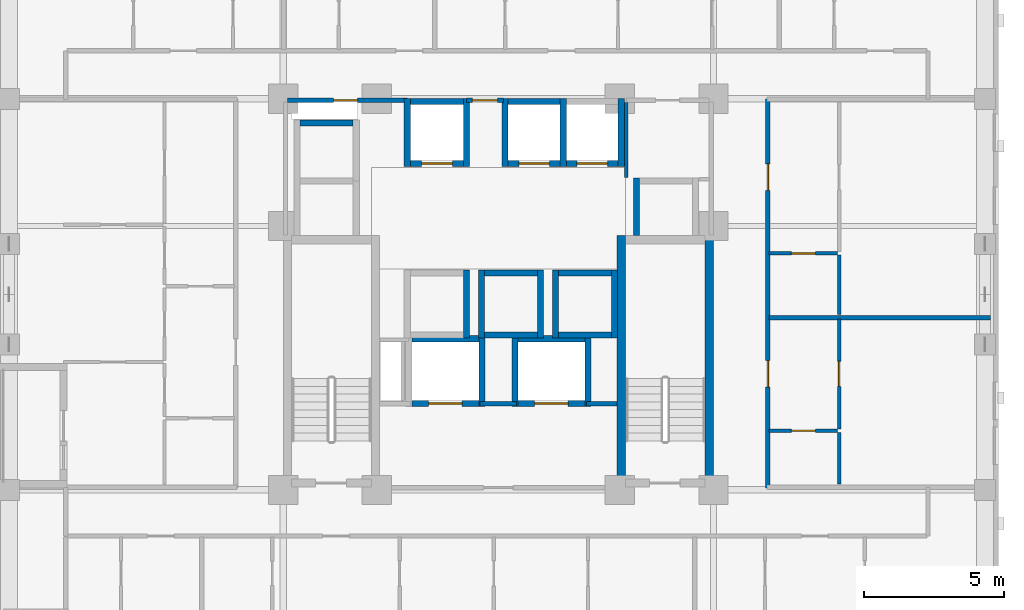
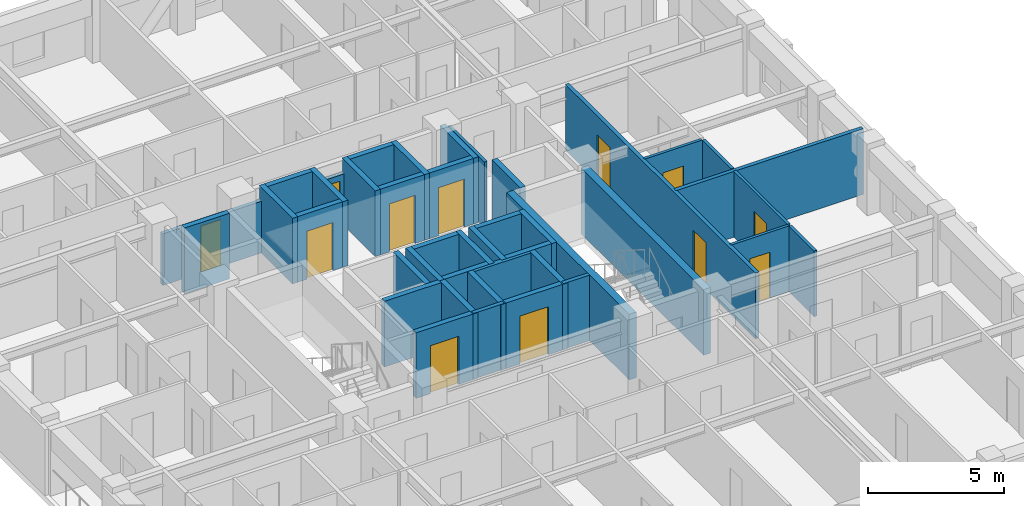
# One storey, part 5 of 12: 42 walls, 12 doors, 12 openings.
"""IFC4 building model written with IfcOpenShell, lengths in metres."""

from ifc_helpers import new_model, si_unit, derived_unit, direction, frame, frame_2d, origin, place, context, subcontext, project, spatial, rectangle, extrude, material, layer, layer_set, type_object, element, fill, save


model = new_model("IFC4")

# Units and contexts
model_context = context("Model", 3, precision=1e-05, world=origin(), true_north=direction((0.0, 1.0)))
body_context = subcontext(model_context, "Body", "Model", "MODEL_VIEW")
ifc_project = project(units=[si_unit("LENGTHUNIT", "METRE"), si_unit("AREAUNIT", "SQUARE_METRE"), si_unit("VOLUMEUNIT", "CUBIC_METRE"), si_unit("PLANEANGLEUNIT", "RADIAN"), si_unit("MASSUNIT", "GRAM", prefix="KILO"), derived_unit("THERMALTRANSMITTANCEUNIT", [(si_unit("MASSUNIT", "GRAM", prefix="KILO"), 1), (si_unit("TIMEUNIT", "SECOND"), -3), (si_unit("THERMODYNAMICTEMPERATUREUNIT", "KELVIN"), -1)])], contexts=[model_context])

# Site, building, storey
site_placement = place(None, origin())
site = spatial("IfcSite", under=ifc_project, at=site_placement, CompositionType="ELEMENT")
building_placement = place(site_placement, origin())
building = spatial("IfcBuilding", under=site, at=building_placement, Name="Korrvale Station Residences", CompositionType="ELEMENT")
storey_placement = place(building_placement, frame((0.0, 0.0, 103.89990234375)))
storey = spatial("IfcBuildingStorey", under=building, at=storey_placement, Name="L29", CompositionType="ELEMENT", Elevation=103.89990234375)

# Walls
ifc_material_1 = material(Name="Concrete C60/75", Category="concrete")
ifc_layer_1 = layer(ifc_material_1, 0.300048828125, Name="Concrete C60/75")
ifc_layer_set_1 = layer_set([ifc_layer_1], Name="Concrete C60/75")
wall_type_1 = type_object("IfcWallType", Name="WAL-CORE-300-C60", PredefinedType="SHEAR", material=ifc_layer_set_1)
for number, where, z_axis, x_axis, name in (
    (1, (29.89990234375, 15.10009765625, 0.0), (0.0, 0.0, 1.0), (0.0, 1.0, 0.0), "L29 ST-2 Core Shear Wall West"),
    (2, (33.050048828125, 15.10009765625, 0.0), (0.0, 0.0, 1.0), (0.0, 1.0, 0.0), "L29 ST-2 Core Shear Wall East"),
):
    element("IfcWall", number, at=place(storey_placement, frame(where, z_axis=z_axis, x_axis=x_axis)), inside=storey, type_object=wall_type_1, Name=name, PredefinedType="SHEAR", context=body_context, shape_type="SweptSolid", body=[
        extrude(rectangle(XDim=9.0, YDim=0.300048828125, at=frame_2d((4.5, 0.0))), origin(), (0.0, 0.0, 1.0), 2.940185546875),
    ])
ifc_material_2 = material(Name="Acoustic steel-stud gypsum board partition", Category="steel")
ifc_layer_2 = layer(ifc_material_2, 0.1201171875, Name="Acoustic steel-stud gypsum board partition")
ifc_layer_set_2 = layer_set([ifc_layer_2], Name="Acoustic steel-stud gypsum board partition")
wall_type_2 = type_object("IfcWallType", Name="WAL-PART-125", PredefinedType="PARTITIONING", material=ifc_layer_set_2)
wall_1_placement = place(storey_placement, frame((30.080078125, 26.179931640625, 0.0), z_axis=(0.0, 0.0, 1.0), x_axis=(0.0, 1.0, 0.0)))
element("IfcWall", 3, at=wall_1_placement, inside=storey, type_object=wall_type_2, Name="L29 Core Partition CW-CS-W", PredefinedType="PARTITIONING", context=body_context, shape_type="SweptSolid", body=[
    extrude(rectangle(XDim=2.68017578125, YDim=0.1201171875, at=frame_2d((1.340087890625, 0.0))), origin(), (0.0, 0.0, 1.0), 2.940185546875),
])

# Wall, opening, door
wall_2_placement = place(storey_placement, frame((35.18994140625, 17.1201171875, 0.0), z_axis=(0.0, 0.0, 1.0), x_axis=(1.0, 0.0, 0.0)))
wall_2 = element("IfcWall", 4, at=wall_2_placement, inside=storey, type_object=wall_type_2, Name="L29 Suite Partition U09-H01", PredefinedType="PARTITIONING", context=body_context, shape_type="SweptSolid", body=[
    extrude(rectangle(XDim=2.449951171875, YDim=0.1201171875, at=frame_2d((1.22509765625, 0.0))), origin(), (0.0, 0.0, 1.0), 2.940185546875),
])
opening_1_placement = place(wall_2_placement, frame((0.794921875, 0.0, 0.0)))
opening_1 = element("IfcOpeningElement", 5, at=opening_1_placement, cuts=wall_2, Name="Opening DB-860", PredefinedType="OPENING", context=body_context, shape_type="SweptSolid", body=[
    extrude(rectangle(XDim=0.860107421875, YDim=2.050048828125, at=frame_2d((0.43017578125, 1.02490234375))), frame((0.0, 0.070068359375, 0.0), z_axis=(0.0, -1.0, 0.0), x_axis=(1.0, 0.0, 0.0)), (0.0, 0.0, 1.0), 0.14013671875),
])
ifc_material_3 = material(Name="Moisture-resistant solid-core bathroom door", Category="timber")
door_type_1 = type_object("IfcDoorType", Name="DR-BATH-860", OperationType="NOTDEFINED", PredefinedType="DOOR", material=ifc_material_3)
door_1_placement = place(opening_1_placement, origin())
door_1 = element("IfcDoor", 6, at=door_1_placement, inside=storey, type_object=door_type_1, Name="L29 Apartment 1BR L29-U09 Bathroom Door", OperationType="SINGLE_SWING_LEFT", OverallHeight=2.050048828125, OverallWidth=0.860107421875, PredefinedType="DOOR", context=body_context, shape_type="SweptSolid", body=[
    extrude(rectangle(XDim=0.860107421875, YDim=2.050048828125, at=frame_2d((0.43017578125, 1.02490234375))), frame((0.0, 0.02490234375, 0.0), z_axis=(0.0, -1.0, 0.0), x_axis=(1.0, 0.0, 0.0)), (0.0, 0.0, 1.0), 0.050048828125),
])
fill(opening_1, door_1)

# Wall
wall_3_placement = place(storey_placement, frame((37.699951171875, 15.2099609375, 0.0), z_axis=(0.0, 0.0, 1.0), x_axis=(0.0, 1.0, 0.0)))
element("IfcWall", 7, at=wall_3_placement, inside=storey, type_object=wall_type_2, Name="L29 Suite Partition U09-V02", PredefinedType="PARTITIONING", context=body_context, shape_type="SweptSolid", body=[
    extrude(rectangle(XDim=1.85009765625, YDim=0.1201171875, at=frame_2d((0.925048828125, 0.0))), origin(), (0.0, 0.0, 1.0), 2.940185546875),
])

# Wall, opening, door
wall_4_placement = place(storey_placement, frame((37.699951171875, 17.179931640625, 0.0), z_axis=(0.0, 0.0, 1.0), x_axis=(0.0, 1.0, 0.0)))
wall_4 = element("IfcWall", 8, at=wall_4_placement, inside=storey, type_object=wall_type_2, Name="L29 Suite Partition U09-V12", PredefinedType="PARTITIONING", context=body_context, shape_type="SweptSolid", body=[
    extrude(rectangle(XDim=3.946044921875, YDim=0.1201171875, at=frame_2d((1.97314453125, 0.0))), origin(), (0.0, 0.0, 1.0), 2.940185546875),
])
opening_2_placement = place(wall_4_placement, frame((1.52294921875, 0.0, 0.0)))
opening_2 = element("IfcOpeningElement", 9, at=opening_2_placement, cuts=wall_4, Name="Opening DI-900", PredefinedType="OPENING", context=body_context, shape_type="SweptSolid", body=[
    extrude(rectangle(XDim=0.89990234375, YDim=2.050048828125, at=frame_2d((0.449951171875, 1.02490234375))), frame((0.0, 0.070068359375, 0.0), z_axis=(0.0, -1.0, 0.0), x_axis=(1.0, 0.0, 0.0)), (0.0, 0.0, 1.0), 0.14013671875),
])
ifc_material_4 = material(Name="Painted solid-core timber interior room door", Category="wood")
door_type_2 = type_object("IfcDoorType", Name="DR-INT-900", OperationType="NOTDEFINED", PredefinedType="DOOR", material=ifc_material_4)
door_2_placement = place(opening_2_placement, origin())
door_2 = element("IfcDoor", 10, at=door_2_placement, inside=storey, type_object=door_type_2, Name="L29 Apartment 1BR L29-U09 Kitchen Door", OperationType="SINGLE_SWING_RIGHT", OverallHeight=2.050048828125, OverallWidth=0.89990234375, PredefinedType="DOOR", context=body_context, shape_type="SweptSolid", body=[
    extrude(rectangle(XDim=0.89990234375, YDim=2.050048828125, at=frame_2d((0.449951171875, 1.02490234375))), frame((0.0, 0.02490234375, 0.0), z_axis=(0.0, -1.0, 0.0), x_axis=(1.0, 0.0, 0.0)), (0.0, 0.0, 1.0), 0.050048828125),
])
fill(opening_2, door_2)

wall_5_placement = place(storey_placement, frame((35.18994140625, 23.467041015625, 0.0), z_axis=(0.0, 0.0, 1.0), x_axis=(1.0, 0.0, 0.0)))
wall_5 = element("IfcWall", 11, at=wall_5_placement, inside=storey, type_object=wall_type_2, Name="L29 Suite Partition U10-H01", PredefinedType="PARTITIONING", context=body_context, shape_type="SweptSolid", body=[
    extrude(rectangle(XDim=2.449951171875, YDim=0.1201171875, at=frame_2d((1.22509765625, 0.0))), origin(), (0.0, 0.0, 1.0), 2.940185546875),
])
opening_3_placement = place(wall_5_placement, frame((0.794921875, 0.0, 0.0)))
opening_3 = element("IfcOpeningElement", 12, at=opening_3_placement, cuts=wall_5, Name="Opening DB-860", PredefinedType="OPENING", context=body_context, shape_type="SweptSolid", body=[
    extrude(rectangle(XDim=0.860107421875, YDim=2.050048828125, at=frame_2d((0.43017578125, 1.02490234375))), frame((0.0, 0.070068359375, 0.0), z_axis=(0.0, -1.0, 0.0), x_axis=(1.0, 0.0, 0.0)), (0.0, 0.0, 1.0), 0.14013671875),
])
door_3_placement = place(opening_3_placement, origin())
door_3 = element("IfcDoor", 13, at=door_3_placement, inside=storey, type_object=door_type_1, Name="L29 Apartment 1BR L29-U10 Bathroom Door", OperationType="SINGLE_SWING_LEFT", OverallHeight=2.050048828125, OverallWidth=0.860107421875, PredefinedType="DOOR", context=body_context, shape_type="SweptSolid", body=[
    extrude(rectangle(XDim=0.860107421875, YDim=2.050048828125, at=frame_2d((0.43017578125, 1.02490234375))), frame((0.0, 0.02490234375, 0.0), z_axis=(0.0, -1.0, 0.0), x_axis=(1.0, 0.0, 0.0)), (0.0, 0.0, 1.0), 0.050048828125),
])
fill(opening_3, door_3)

# Walls
wall_6_placement = place(storey_placement, frame((37.699951171875, 21.285888671875, 0.0), z_axis=(0.0, 0.0, 1.0), x_axis=(0.0, 1.0, 0.0)))
element("IfcWall", 14, at=wall_6_placement, inside=storey, type_object=wall_type_2, Name="L29 Suite Partition U10-V02", PredefinedType="PARTITIONING", context=body_context, shape_type="SweptSolid", body=[
    extrude(rectangle(XDim=2.12109375, YDim=0.1201171875, at=frame_2d((1.060546875, 0.0))), origin(), (0.0, 0.0, 1.0), 2.940185546875),
])
ifc_material_5 = material(Name="Fire-rated twin-stud gypsum and mineral wool shaftwall assembly", Category="gypsum")
ifc_layer_3 = layer(ifc_material_5, 0.159912109375, Name="Fire-rated twin-stud gypsum and mineral wool shaftwall assembly")
ifc_layer_set_3 = layer_set([ifc_layer_3], Name="Fire-rated twin-stud gypsum and mineral wool shaftwall assembly")
wall_type_3 = type_object("IfcWallType", Name="WAL-PART-200", PredefinedType="PARTITIONING", material=ifc_layer_set_3)
wall_7_placement = place(storey_placement, frame((24.85009765625, 18.080078125, 0.0), z_axis=(0.0, 0.0, 1.0), x_axis=(1.0, 0.0, 0.0)))
element("IfcWall", 15, at=wall_7_placement, inside=storey, type_object=wall_type_3, Name="L29 Core Partition CW-FFL-N2", PredefinedType="PARTITIONING", context=body_context, shape_type="SweptSolid", body=[
    extrude(rectangle(XDim=1.2998046875, YDim=0.159912109375, at=frame_2d((0.64990234375, 0.0))), origin(), (0.0, 0.0, 1.0), 2.940185546875),
])
wall_8_placement = place(storey_placement, frame((28.64990234375, 18.080078125, 0.0), z_axis=(0.0, 0.0, 1.0), x_axis=(1.0, 0.0, 0.0)))
element("IfcWall", 16, at=wall_8_placement, inside=storey, type_object=wall_type_3, Name="L29 Core Partition CW-FFL-N3", PredefinedType="PARTITIONING", context=body_context, shape_type="SweptSolid", body=[
    extrude(rectangle(XDim=1.10009765625, YDim=0.159912109375, at=frame_2d((0.550048828125, 0.0))), origin(), (0.0, 0.0, 1.0), 2.940185546875),
])

# Wall, opening, door
wall_9_placement = place(storey_placement, frame((24.360107421875, 28.949951171875, 0.0), z_axis=(0.0, 0.0, 1.0), x_axis=(1.0, 0.0, 0.0)))
wall_9 = element("IfcWall", 17, at=wall_9_placement, inside=storey, type_object=wall_type_3, Name="L29 Core Partition CW-LLOB-N", PredefinedType="PARTITIONING", context=body_context, shape_type="SweptSolid", body=[
    extrude(rectangle(XDim=1.31982421875, YDim=0.159912109375, at=frame_2d((0.659912109375, 0.0))), origin(), (0.0, 0.0, 1.0), 2.31298828125),
])
opening_4_placement = place(wall_9_placement, frame((0.2099609375, 0.0, 0.0)))
opening_4 = element("IfcOpeningElement", 18, at=opening_4_placement, cuts=wall_9, Name="Opening DI-900", PredefinedType="OPENING", context=body_context, shape_type="SweptSolid", body=[
    extrude(rectangle(XDim=0.89990234375, YDim=2.050048828125, at=frame_2d((0.449951171875, 1.02490234375))), frame((0.0, 0.08984375, 0.0), z_axis=(0.0, -1.0, 0.0), x_axis=(1.0, 0.0, 0.0)), (0.0, 0.0, 1.0), 0.179931640625),
])
door_4_placement = place(opening_4_placement, origin())
door_4 = element("IfcDoor", 19, at=door_4_placement, inside=storey, type_object=door_type_2, Name="L29 Central Hallway North Passage Door", OperationType="SINGLE_SWING_RIGHT", OverallHeight=2.050048828125, OverallWidth=0.89990234375, PredefinedType="DOOR", context=body_context, shape_type="SweptSolid", body=[
    extrude(rectangle(XDim=0.89990234375, YDim=2.050048828125, at=frame_2d((0.449951171875, 1.02490234375))), frame((0.0, 0.02490234375, 0.0), z_axis=(0.0, -1.0, 0.0), x_axis=(1.0, 0.0, 0.0)), (0.0, 0.0, 1.0), 0.050048828125),
])
fill(opening_4, door_4)

wall_10_placement = place(storey_placement, frame((17.9599609375, 28.949951171875, 0.0), z_axis=(0.0, 0.0, 1.0), x_axis=(1.0, 0.0, 0.0)))
wall_10 = element("IfcWall", 20, at=wall_10_placement, inside=storey, type_object=wall_type_3, Name="L29 Core Partition CW-NW", PredefinedType="PARTITIONING", context=body_context, shape_type="SweptSolid", body=[
    extrude(rectangle(XDim=4.2900390625, YDim=0.159912109375, at=frame_2d((2.14501953125, 0.0))), origin(), (0.0, 0.0, 1.0), 2.31298828125),
])
opening_5_placement = place(wall_10_placement, frame((1.64501953125, 0.0, 0.0)))
opening_5 = element("IfcOpeningElement", 21, at=opening_5_placement, cuts=wall_10, Name="Opening DB-860", PredefinedType="OPENING", context=body_context, shape_type="SweptSolid", body=[
    extrude(rectangle(XDim=0.860107421875, YDim=2.050048828125, at=frame_2d((0.43017578125, 1.02490234375))), frame((0.0, 0.08984375, 0.0), z_axis=(0.0, -1.0, 0.0), x_axis=(1.0, 0.0, 0.0)), (0.0, 0.0, 1.0), 0.179931640625),
])
door_5_placement = place(opening_5_placement, origin())
door_5 = element("IfcDoor", 22, at=door_5_placement, inside=storey, type_object=door_type_1, Name="L29 Electrical Riser Access Door", OperationType="SINGLE_SWING_LEFT", OverallHeight=2.050048828125, OverallWidth=0.860107421875, PredefinedType="DOOR", context=body_context, shape_type="SweptSolid", body=[
    extrude(rectangle(XDim=0.860107421875, YDim=2.050048828125, at=frame_2d((0.43017578125, 1.02490234375))), frame((0.0, 0.02490234375, 0.0), z_axis=(0.0, -1.0, 0.0), x_axis=(1.0, 0.0, 0.0)), (0.0, 0.0, 1.0), 0.050048828125),
])
fill(opening_5, door_5)

# Wall
wall_11_placement = place(storey_placement, frame((35.18994140625, 21.166015625, 0.0), z_axis=(0.0, 0.0, 1.0), x_axis=(1.0, 0.0, 0.0)))
element("IfcWall", 23, at=wall_11_placement, inside=storey, type_object=wall_type_3, Name="L29 Demising Wall U09-N", PredefinedType="PARTITIONING", context=body_context, shape_type="SweptSolid", body=[
    extrude(rectangle(XDim=7.93017578125, YDim=0.159912109375, at=frame_2d((3.965087890625, 0.0))), origin(), (0.0, 0.0, 1.0), 2.940185546875),
])

# Wall, openings, doors
wall_12_placement = place(storey_placement, frame((35.14990234375, 15.070068359375, 0.0), z_axis=(0.0, 0.0, 1.0), x_axis=(0.0, 1.0, 0.0)))
wall_12 = element("IfcWall", 24, at=wall_12_placement, inside=storey, type_object=wall_type_3, Name="L29 Rated Corridor Wall E", PredefinedType="PARTITIONING", context=body_context, shape_type="SweptSolid", body=[
    extrude(rectangle(XDim=13.929931640625, YDim=0.159912109375, at=frame_2d((6.96484375, 0.0))), origin(), (0.0, 0.0, 1.0), 2.940185546875),
])
opening_6_placement = place(wall_12_placement, frame((3.60791015625, 0.0, 0.0)))
opening_6 = element("IfcOpeningElement", 25, at=opening_6_placement, cuts=wall_12, Name="Opening UD-950", PredefinedType="OPENING", context=body_context, shape_type="SweptSolid", body=[
    extrude(rectangle(XDim=0.949951171875, YDim=2.10009765625, at=frame_2d((0.47509765625, 1.050048828125))), frame((0.0, 0.08984375, 0.0), z_axis=(0.0, -1.0, 0.0), x_axis=(1.0, 0.0, 0.0)), (0.0, 0.0, 1.0), 0.179931640625),
])
opening_7_placement = place(wall_12_placement, frame((10.64892578125, 0.0, 0.0)))
opening_7 = element("IfcOpeningElement", 26, at=opening_7_placement, cuts=wall_12, Name="Opening UD-950", PredefinedType="OPENING", context=body_context, shape_type="SweptSolid", body=[
    extrude(rectangle(XDim=0.949951171875, YDim=2.10009765625, at=frame_2d((0.47509765625, 1.050048828125))), frame((0.0, 0.08984375, 0.0), z_axis=(0.0, -1.0, 0.0), x_axis=(1.0, 0.0, 0.0)), (0.0, 0.0, 1.0), 0.179931640625),
])
ifc_material_6 = material(Name="Solid-core acoustic oak apartment entrance door", Category="timber")
door_type_3 = type_object("IfcDoorType", Name="DR-UNIT-950", OperationType="NOTDEFINED", PredefinedType="DOOR", material=ifc_material_6)
door_6_placement = place(opening_6_placement, origin())
door_6 = element("IfcDoor", 27, at=door_6_placement, inside=storey, type_object=door_type_3, Name="L29 Apartment L29-U09 Entrance Door", OperationType="SINGLE_SWING_LEFT", OverallHeight=2.10009765625, OverallWidth=0.949951171875, PredefinedType="DOOR", context=body_context, shape_type="SweptSolid", body=[
    extrude(rectangle(XDim=0.949951171875, YDim=2.10009765625, at=frame_2d((0.47509765625, 1.050048828125))), frame((0.0, 0.02490234375, 0.0), z_axis=(0.0, -1.0, 0.0), x_axis=(1.0, 0.0, 0.0)), (0.0, 0.0, 1.0), 0.050048828125),
])
fill(opening_6, door_6)
door_7_placement = place(opening_7_placement, origin())
door_7 = element("IfcDoor", 28, at=door_7_placement, inside=storey, type_object=door_type_3, Name="L29 Apartment L29-U10 Entrance Door", OperationType="SINGLE_SWING_RIGHT", OverallHeight=2.10009765625, OverallWidth=0.949951171875, PredefinedType="DOOR", context=body_context, shape_type="SweptSolid", body=[
    extrude(rectangle(XDim=0.949951171875, YDim=2.10009765625, at=frame_2d((0.47509765625, 1.050048828125))), frame((0.0, 0.02490234375, 0.0), z_axis=(0.0, -1.0, 0.0), x_axis=(1.0, 0.0, 0.0)), (0.0, 0.0, 1.0), 0.050048828125),
])
fill(opening_7, door_7)

# Wall, opening, door
ifc_layer_4 = layer(ifc_material_1, 0.219970703125, Name="Concrete C60/75")
ifc_layer_set_4 = layer_set([ifc_layer_4], Name="Concrete C60/75")
wall_type_4 = type_object("IfcWallType", Name="WAL-SHAFT-220-C60", PredefinedType="SHEAR", material=ifc_layer_set_4)
wall_13_placement = place(storey_placement, frame((22.35009765625, 26.68994140625, 0.0), z_axis=(0.0, 0.0, 1.0), x_axis=(1.0, 0.0, 0.0)))
wall_13 = element("IfcWall", 29, at=wall_13_placement, inside=storey, type_object=wall_type_4, Name="L29 Elevator PL-1 Hoistway Wall South", PredefinedType="SHEAR", context=body_context, shape_type="SweptSolid", body=[
    extrude(rectangle(XDim=1.89990234375, YDim=0.219970703125, at=frame_2d((0.949951171875, 0.0))), origin(), (0.0, 0.0, 1.0), 2.940185546875),
])
opening_8_placement = place(wall_13_placement, frame((0.39990234375, 0.0, 0.0)))
opening_8 = element("IfcOpeningElement", 30, at=opening_8_placement, cuts=wall_13, Name="Opening LD-1100", PredefinedType="OPENING", context=body_context, shape_type="SweptSolid", body=[
    extrude(rectangle(XDim=1.10009765625, YDim=2.14990234375, at=frame_2d((0.550048828125, 1.074951171875))), frame((0.0, 0.1201171875, 0.0), z_axis=(0.0, -1.0, 0.0), x_axis=(1.0, 0.0, 0.0)), (0.0, 0.0, 1.0), 0.239990234375),
])
ifc_material_7 = material(Name="Brushed stainless-steel elevator landing sliding door", Category="steel")
door_type_4 = type_object("IfcDoorType", Name="DR-LIFT-1100", OperationType="SLIDING_TO_LEFT", PredefinedType="DOOR", material=ifc_material_7)
door_8_placement = place(opening_8_placement, origin())
door_8 = element("IfcDoor", 31, at=door_8_placement, inside=storey, type_object=door_type_4, Name="L29 Elevator PL-1 Sliding Landing Door", OperationType="SLIDING_TO_LEFT", OverallHeight=2.14990234375, OverallWidth=1.10009765625, PredefinedType="DOOR", context=body_context, shape_type="SweptSolid", body=[
    extrude(rectangle(XDim=1.10009765625, YDim=2.14990234375, at=frame_2d((0.550048828125, 1.074951171875))), frame((0.0, 0.02490234375, 0.0), z_axis=(0.0, -1.0, 0.0), x_axis=(1.0, 0.0, 0.0)), (0.0, 0.0, 1.0), 0.050048828125),
])
fill(opening_8, door_8)

# Walls
wall_14_placement = place(storey_placement, frame((22.35009765625, 28.909912109375, 0.0), z_axis=(0.0, 0.0, 1.0), x_axis=(1.0, 0.0, 0.0)))
element("IfcWall", 32, at=wall_14_placement, inside=storey, type_object=wall_type_4, Name="L29 Elevator PL-1 Hoistway Wall North", PredefinedType="SHEAR", context=body_context, shape_type="SweptSolid", body=[
    extrude(rectangle(XDim=1.89990234375, YDim=0.219970703125, at=frame_2d((0.949951171875, 0.0))), origin(), (0.0, 0.0, 1.0), 2.940185546875),
])
for number, where, z_axis, x_axis, name in (
    (33, (22.239990234375, 26.580078125, 0.0), (0.0, 0.0, 1.0), (0.0, 1.0, 0.0), "L29 Elevator PL-1 Hoistway Wall West"),
    (34, (24.360107421875, 26.580078125, 0.0), (0.0, 0.0, 1.0), (0.0, 1.0, 0.0), "L29 Elevator PL-1 Hoistway Wall East"),
):
    element("IfcWall", number, at=place(storey_placement, frame(where, z_axis=z_axis, x_axis=x_axis)), inside=storey, type_object=wall_type_4, Name=name, PredefinedType="SHEAR", context=body_context, shape_type="SweptSolid", body=[
        extrude(rectangle(XDim=2.43994140625, YDim=0.219970703125, at=frame_2d((1.219970703125, 0.0))), origin(), (0.0, 0.0, 1.0), 2.940185546875),
    ])

# Wall, opening, door
wall_15_placement = place(storey_placement, frame((25.85009765625, 26.68994140625, 0.0), z_axis=(0.0, 0.0, 1.0), x_axis=(1.0, 0.0, 0.0)))
wall_15 = element("IfcWall", 35, at=wall_15_placement, inside=storey, type_object=wall_type_4, Name="L29 Elevator PL-2 Hoistway Wall South", PredefinedType="SHEAR", context=body_context, shape_type="SweptSolid", body=[
    extrude(rectangle(XDim=1.85986328125, YDim=0.219970703125, at=frame_2d((0.929931640625, 0.0))), origin(), (0.0, 0.0, 1.0), 2.940185546875),
])
opening_9_placement = place(wall_15_placement, frame((0.3798828125, 0.0, 0.0)))
opening_9 = element("IfcOpeningElement", 36, at=opening_9_placement, cuts=wall_15, Name="Opening LD-1100", PredefinedType="OPENING", context=body_context, shape_type="SweptSolid", body=[
    extrude(rectangle(XDim=1.10009765625, YDim=2.14990234375, at=frame_2d((0.550048828125, 1.074951171875))), frame((0.0, 0.1201171875, 0.0), z_axis=(0.0, -1.0, 0.0), x_axis=(1.0, 0.0, 0.0)), (0.0, 0.0, 1.0), 0.239990234375),
])
door_9_placement = place(opening_9_placement, origin())
door_9 = element("IfcDoor", 37, at=door_9_placement, inside=storey, type_object=door_type_4, Name="L29 Elevator PL-2 Sliding Landing Door", OperationType="SLIDING_TO_LEFT", OverallHeight=2.14990234375, OverallWidth=1.10009765625, PredefinedType="DOOR", context=body_context, shape_type="SweptSolid", body=[
    extrude(rectangle(XDim=1.10009765625, YDim=2.14990234375, at=frame_2d((0.550048828125, 1.074951171875))), frame((0.0, 0.02490234375, 0.0), z_axis=(0.0, -1.0, 0.0), x_axis=(1.0, 0.0, 0.0)), (0.0, 0.0, 1.0), 0.050048828125),
])
fill(opening_9, door_9)

# Walls
wall_16_placement = place(storey_placement, frame((25.85009765625, 28.909912109375, 0.0), z_axis=(0.0, 0.0, 1.0), x_axis=(1.0, 0.0, 0.0)))
element("IfcWall", 38, at=wall_16_placement, inside=storey, type_object=wall_type_4, Name="L29 Elevator PL-2 Hoistway Wall North", PredefinedType="SHEAR", context=body_context, shape_type="SweptSolid", body=[
    extrude(rectangle(XDim=1.85986328125, YDim=0.219970703125, at=frame_2d((0.929931640625, 0.0))), origin(), (0.0, 0.0, 1.0), 2.940185546875),
])
for number, where, z_axis, x_axis, name in (
    (39, (25.739990234375, 26.580078125, 0.0), (0.0, 0.0, 1.0), (0.0, 1.0, 0.0), "L29 Elevator PL-2 Hoistway Wall West"),
    (40, (27.820068359375, 26.580078125, 0.0), (0.0, 0.0, 1.0), (0.0, 1.0, 0.0), "L29 Elevator PL-2 Hoistway Wall East"),
):
    element("IfcWall", number, at=place(storey_placement, frame(where, z_axis=z_axis, x_axis=x_axis)), inside=storey, type_object=wall_type_4, Name=name, PredefinedType="SHEAR", context=body_context, shape_type="SweptSolid", body=[
        extrude(rectangle(XDim=2.43994140625, YDim=0.219970703125, at=frame_2d((1.219970703125, 0.0))), origin(), (0.0, 0.0, 1.0), 2.940185546875),
    ])

# Wall, opening, door
wall_17_placement = place(storey_placement, frame((27.929931640625, 26.68994140625, 0.0), z_axis=(0.0, 0.0, 1.0), x_axis=(1.0, 0.0, 0.0)))
wall_17 = element("IfcWall", 41, at=wall_17_placement, inside=storey, type_object=wall_type_4, Name="L29 Elevator PL-3 Hoistway Wall South", PredefinedType="SHEAR", context=body_context, shape_type="SweptSolid", body=[
    extrude(rectangle(XDim=1.860107421875, YDim=0.219970703125, at=frame_2d((0.93017578125, 0.0))), origin(), (0.0, 0.0, 1.0), 2.940185546875),
])
opening_10_placement = place(wall_17_placement, frame((0.3798828125, 0.0, 0.0)))
opening_10 = element("IfcOpeningElement", 42, at=opening_10_placement, cuts=wall_17, Name="Opening LD-1100", PredefinedType="OPENING", context=body_context, shape_type="SweptSolid", body=[
    extrude(rectangle(XDim=1.10009765625, YDim=2.14990234375, at=frame_2d((0.550048828125, 1.074951171875))), frame((0.0, 0.1201171875, 0.0), z_axis=(0.0, -1.0, 0.0), x_axis=(1.0, 0.0, 0.0)), (0.0, 0.0, 1.0), 0.239990234375),
])
door_10_placement = place(opening_10_placement, origin())
door_10 = element("IfcDoor", 43, at=door_10_placement, inside=storey, type_object=door_type_4, Name="L29 Elevator PL-3 Sliding Landing Door", OperationType="SLIDING_TO_LEFT", OverallHeight=2.14990234375, OverallWidth=1.10009765625, PredefinedType="DOOR", context=body_context, shape_type="SweptSolid", body=[
    extrude(rectangle(XDim=1.10009765625, YDim=2.14990234375, at=frame_2d((0.550048828125, 1.074951171875))), frame((0.0, 0.02490234375, 0.0), z_axis=(0.0, -1.0, 0.0), x_axis=(1.0, 0.0, 0.0)), (0.0, 0.0, 1.0), 0.050048828125),
])
fill(opening_10, door_10)

# Walls
wall_18_placement = place(storey_placement, frame((29.89990234375, 26.580078125, 0.0), z_axis=(0.0, 0.0, 1.0), x_axis=(0.0, 1.0, 0.0)))
element("IfcWall", 44, at=wall_18_placement, inside=storey, type_object=wall_type_4, Name="L29 Elevator PL-3 Hoistway Wall East", PredefinedType="SHEAR", context=body_context, shape_type="SweptSolid", body=[
    extrude(rectangle(XDim=2.43994140625, YDim=0.219970703125, at=frame_2d((1.219970703125, 0.0))), origin(), (0.0, 0.0, 1.0), 2.940185546875),
])
wall_19_placement = place(storey_placement, frame((24.360107421875, 20.429931640625, 0.0), z_axis=(0.0, 0.0, 1.0), x_axis=(0.0, 1.0, 0.0)))
element("IfcWall", 45, at=wall_19_placement, inside=storey, type_object=wall_type_4, Name="L29 Elevator PM-1 Hoistway Wall East", PredefinedType="SHEAR", context=body_context, shape_type="SweptSolid", body=[
    extrude(rectangle(XDim=2.440185546875, YDim=0.219970703125, at=frame_2d((1.22021484375, 0.0))), origin(), (0.0, 0.0, 1.0), 2.940185546875),
])
for number, where, z_axis, x_axis, name in (
    (46, (25.0, 20.5400390625, 0.0), (0.0, 0.0, 1.0), (1.0, 0.0, 0.0), "L29 Elevator PM-2 Hoistway Wall South"),
    (47, (25.0, 22.760009765625, 0.0), (0.0, 0.0, 1.0), (1.0, 0.0, 0.0), "L29 Elevator PM-2 Hoistway Wall North"),
):
    element("IfcWall", number, at=place(storey_placement, frame(where, z_axis=z_axis, x_axis=x_axis)), inside=storey, type_object=wall_type_4, Name=name, PredefinedType="SHEAR", context=body_context, shape_type="SweptSolid", body=[
        extrude(rectangle(XDim=1.89990234375, YDim=0.219970703125, at=frame_2d((0.949951171875, 0.0))), origin(), (0.0, 0.0, 1.0), 2.940185546875),
    ])
for number, where, z_axis, x_axis, name in (
    (48, (24.889892578125, 20.429931640625, 0.0), (0.0, 0.0, 1.0), (0.0, 1.0, 0.0), "L29 Elevator PM-2 Hoistway Wall West"),
    (49, (27.010009765625, 20.429931640625, 0.0), (0.0, 0.0, 1.0), (0.0, 1.0, 0.0), "L29 Elevator PM-2 Hoistway Wall East"),
):
    element("IfcWall", number, at=place(storey_placement, frame(where, z_axis=z_axis, x_axis=x_axis)), inside=storey, type_object=wall_type_4, Name=name, PredefinedType="SHEAR", context=body_context, shape_type="SweptSolid", body=[
        extrude(rectangle(XDim=2.440185546875, YDim=0.219970703125, at=frame_2d((1.22021484375, 0.0))), origin(), (0.0, 0.0, 1.0), 2.940185546875),
    ])
for number, where, z_axis, x_axis, name in (
    (50, (27.64990234375, 20.5400390625, 0.0), (0.0, 0.0, 1.0), (1.0, 0.0, 0.0), "L29 Elevator PM-3 Hoistway Wall South"),
    (51, (27.64990234375, 22.760009765625, 0.0), (0.0, 0.0, 1.0), (1.0, 0.0, 0.0), "L29 Elevator PM-3 Hoistway Wall North"),
):
    element("IfcWall", number, at=place(storey_placement, frame(where, z_axis=z_axis, x_axis=x_axis)), inside=storey, type_object=wall_type_4, Name=name, PredefinedType="SHEAR", context=body_context, shape_type="SweptSolid", body=[
        extrude(rectangle(XDim=1.900146484375, YDim=0.219970703125, at=frame_2d((0.9501953125, 0.0))), origin(), (0.0, 0.0, 1.0), 2.940185546875),
    ])
for number, where, z_axis, x_axis, name in (
    (52, (27.5400390625, 20.429931640625, 0.0), (0.0, 0.0, 1.0), (0.0, 1.0, 0.0), "L29 Elevator PM-3 Hoistway Wall West"),
    (53, (29.659912109375, 20.429931640625, 0.0), (0.0, 0.0, 1.0), (0.0, 1.0, 0.0), "L29 Elevator PM-3 Hoistway Wall East"),
):
    element("IfcWall", number, at=place(storey_placement, frame(where, z_axis=z_axis, x_axis=x_axis)), inside=storey, type_object=wall_type_4, Name=name, PredefinedType="SHEAR", context=body_context, shape_type="SweptSolid", body=[
        extrude(rectangle(XDim=2.440185546875, YDim=0.219970703125, at=frame_2d((1.22021484375, 0.0))), origin(), (0.0, 0.0, 1.0), 2.940185546875),
    ])
wall_20_placement = place(storey_placement, frame((18.39990234375, 28.1298828125, 0.0), z_axis=(0.0, 0.0, 1.0), x_axis=(1.0, 0.0, 0.0)))
element("IfcWall", 54, at=wall_20_placement, inside=storey, type_object=wall_type_4, Name="L29 Elevator PH-2 Hoistway Wall North", PredefinedType="SHEAR", context=body_context, shape_type="SweptSolid", body=[
    extrude(rectangle(XDim=1.900146484375, YDim=0.219970703125, at=frame_2d((0.9501953125, 0.0))), origin(), (0.0, 0.0, 1.0), 2.940185546875),
])
wall_21_placement = place(storey_placement, frame((30.43994140625, 24.10009765625, 0.0), z_axis=(0.0, 0.0, 1.0), x_axis=(0.0, 1.0, 0.0)))
element("IfcWall", 55, at=wall_21_placement, inside=storey, type_object=wall_type_4, Name="L29 Elevator PH-3 Hoistway Wall West", PredefinedType="SHEAR", context=body_context, shape_type="SweptSolid", body=[
    extrude(rectangle(XDim=2.06982421875, YDim=0.219970703125, at=frame_2d((1.034912109375, 0.0))), origin(), (0.0, 0.0, 1.0), 2.940185546875),
])

# Wall, opening, door
wall_22_placement = place(storey_placement, frame((22.39990234375, 18.090087890625, 0.0), z_axis=(0.0, 0.0, 1.0), x_axis=(1.0, 0.0, 0.0)))
wall_22 = element("IfcWall", 56, at=wall_22_placement, inside=storey, type_object=wall_type_4, Name="L29 Elevator FFL-1 Hoistway Wall South", PredefinedType="SHEAR", context=body_context, shape_type="SweptSolid", body=[
    extrude(rectangle(XDim=2.400146484375, YDim=0.219970703125, at=frame_2d((1.2001953125, 0.0))), origin(), (0.0, 0.0, 1.0), 2.940185546875),
])
opening_11_placement = place(wall_22_placement, frame((0.60009765625, 0.0, 0.0)))
opening_11 = element("IfcOpeningElement", 57, at=opening_11_placement, cuts=wall_22, Name="Opening LD-FF1200", PredefinedType="OPENING", context=body_context, shape_type="SweptSolid", body=[
    extrude(rectangle(XDim=1.199951171875, YDim=2.14990234375, at=frame_2d((0.60009765625, 1.074951171875))), frame((0.0, 0.1201171875, 0.0), z_axis=(0.0, -1.0, 0.0), x_axis=(1.0, 0.0, 0.0)), (0.0, 0.0, 1.0), 0.239990234375),
])
ifc_material_8 = material(Name="Stainless-steel firefighter elevator landing sliding door", Category="steel")
door_type_5 = type_object("IfcDoorType", Name="DR-LIFT-FF1200", OperationType="SLIDING_TO_LEFT", PredefinedType="DOOR", material=ifc_material_8)
door_11_placement = place(opening_11_placement, origin())
door_11 = element("IfcDoor", 58, at=door_11_placement, inside=storey, type_object=door_type_5, Name="L29 Elevator FFL-1 Sliding Landing Door", OperationType="SLIDING_TO_LEFT", OverallHeight=2.14990234375, OverallWidth=1.199951171875, PredefinedType="DOOR", context=body_context, shape_type="SweptSolid", body=[
    extrude(rectangle(XDim=1.199951171875, YDim=2.14990234375, at=frame_2d((0.60009765625, 1.074951171875))), frame((0.0, 0.02490234375, 0.0), z_axis=(0.0, -1.0, 0.0), x_axis=(1.0, 0.0, 0.0)), (0.0, 0.0, 1.0), 0.050048828125),
])
fill(opening_11, door_11)

# Walls
wall_23_placement = place(storey_placement, frame((22.39990234375, 20.409912109375, 0.0), z_axis=(0.0, 0.0, 1.0), x_axis=(1.0, 0.0, 0.0)))
element("IfcWall", 59, at=wall_23_placement, inside=storey, type_object=wall_type_4, Name="L29 Elevator FFL-1 Hoistway Wall North", PredefinedType="SHEAR", context=body_context, shape_type="SweptSolid", body=[
    extrude(rectangle(XDim=2.400146484375, YDim=0.219970703125, at=frame_2d((1.2001953125, 0.0))), origin(), (0.0, 0.0, 1.0), 2.940185546875),
])
wall_24_placement = place(storey_placement, frame((24.909912109375, 17.97998046875, 0.0), z_axis=(0.0, 0.0, 1.0), x_axis=(0.0, 1.0, 0.0)))
element("IfcWall", 60, at=wall_24_placement, inside=storey, type_object=wall_type_4, Name="L29 Elevator FFL-1 Hoistway Wall East", PredefinedType="SHEAR", context=body_context, shape_type="SweptSolid", body=[
    extrude(rectangle(XDim=2.5400390625, YDim=0.219970703125, at=frame_2d((1.27001953125, 0.0))), origin(), (0.0, 0.0, 1.0), 2.940185546875),
])

# Wall, opening, door
wall_25_placement = place(storey_placement, frame((26.199951171875, 18.090087890625, 0.0), z_axis=(0.0, 0.0, 1.0), x_axis=(1.0, 0.0, 0.0)))
wall_25 = element("IfcWall", 61, at=wall_25_placement, inside=storey, type_object=wall_type_4, Name="L29 Elevator FFL-2 Hoistway Wall South", PredefinedType="SHEAR", context=body_context, shape_type="SweptSolid", body=[
    extrude(rectangle(XDim=2.400146484375, YDim=0.219970703125, at=frame_2d((1.2001953125, 0.0))), origin(), (0.0, 0.0, 1.0), 2.940185546875),
])
opening_12_placement = place(wall_25_placement, frame((0.60009765625, 0.0, 0.0)))
opening_12 = element("IfcOpeningElement", 62, at=opening_12_placement, cuts=wall_25, Name="Opening LD-FF1200", PredefinedType="OPENING", context=body_context, shape_type="SweptSolid", body=[
    extrude(rectangle(XDim=1.199951171875, YDim=2.14990234375, at=frame_2d((0.60009765625, 1.074951171875))), frame((0.0, 0.1201171875, 0.0), z_axis=(0.0, -1.0, 0.0), x_axis=(1.0, 0.0, 0.0)), (0.0, 0.0, 1.0), 0.239990234375),
])
door_12_placement = place(opening_12_placement, origin())
door_12 = element("IfcDoor", 63, at=door_12_placement, inside=storey, type_object=door_type_5, Name="L29 Elevator FFL-2 Sliding Landing Door", OperationType="SLIDING_TO_LEFT", OverallHeight=2.14990234375, OverallWidth=1.199951171875, PredefinedType="DOOR", context=body_context, shape_type="SweptSolid", body=[
    extrude(rectangle(XDim=1.199951171875, YDim=2.14990234375, at=frame_2d((0.60009765625, 1.074951171875))), frame((0.0, 0.02490234375, 0.0), z_axis=(0.0, -1.0, 0.0), x_axis=(1.0, 0.0, 0.0)), (0.0, 0.0, 1.0), 0.050048828125),
])
fill(opening_12, door_12)

# Walls
wall_26_placement = place(storey_placement, frame((26.199951171875, 20.409912109375, 0.0), z_axis=(0.0, 0.0, 1.0), x_axis=(1.0, 0.0, 0.0)))
element("IfcWall", 64, at=wall_26_placement, inside=storey, type_object=wall_type_4, Name="L29 Elevator FFL-2 Hoistway Wall North", PredefinedType="SHEAR", context=body_context, shape_type="SweptSolid", body=[
    extrude(rectangle(XDim=2.400146484375, YDim=0.219970703125, at=frame_2d((1.2001953125, 0.0))), origin(), (0.0, 0.0, 1.0), 2.940185546875),
])
for number, where, z_axis, x_axis, name in (
    (65, (26.090087890625, 17.97998046875, 0.0), (0.0, 0.0, 1.0), (0.0, 1.0, 0.0), "L29 Elevator FFL-2 Hoistway Wall West"),
    (66, (28.7099609375, 17.97998046875, 0.0), (0.0, 0.0, 1.0), (0.0, 1.0, 0.0), "L29 Elevator FFL-2 Hoistway Wall East"),
):
    element("IfcWall", number, at=place(storey_placement, frame(where, z_axis=z_axis, x_axis=x_axis)), inside=storey, type_object=wall_type_4, Name=name, PredefinedType="SHEAR", context=body_context, shape_type="SweptSolid", body=[
        extrude(rectangle(XDim=2.5400390625, YDim=0.219970703125, at=frame_2d((1.27001953125, 0.0))), origin(), (0.0, 0.0, 1.0), 2.940185546875),
    ])

save(model, "model.ifc")
